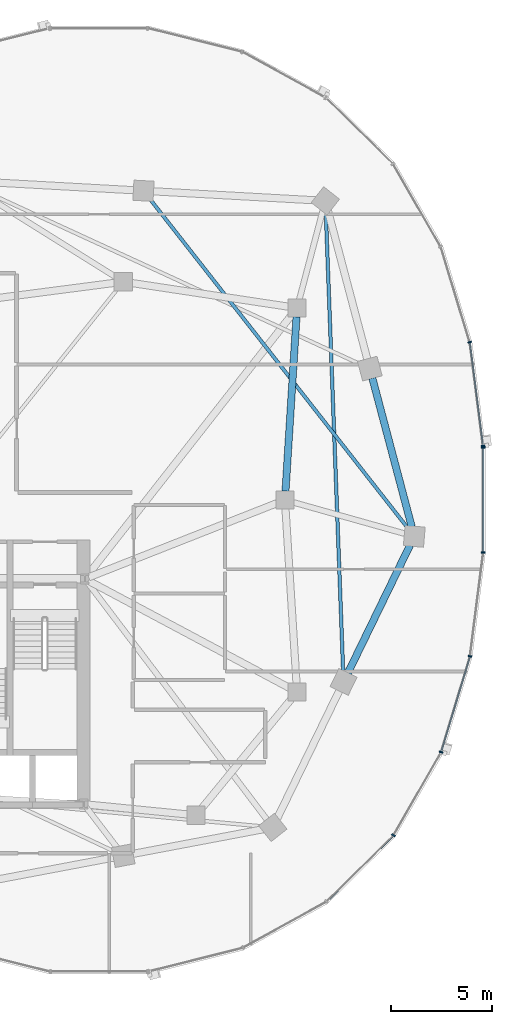
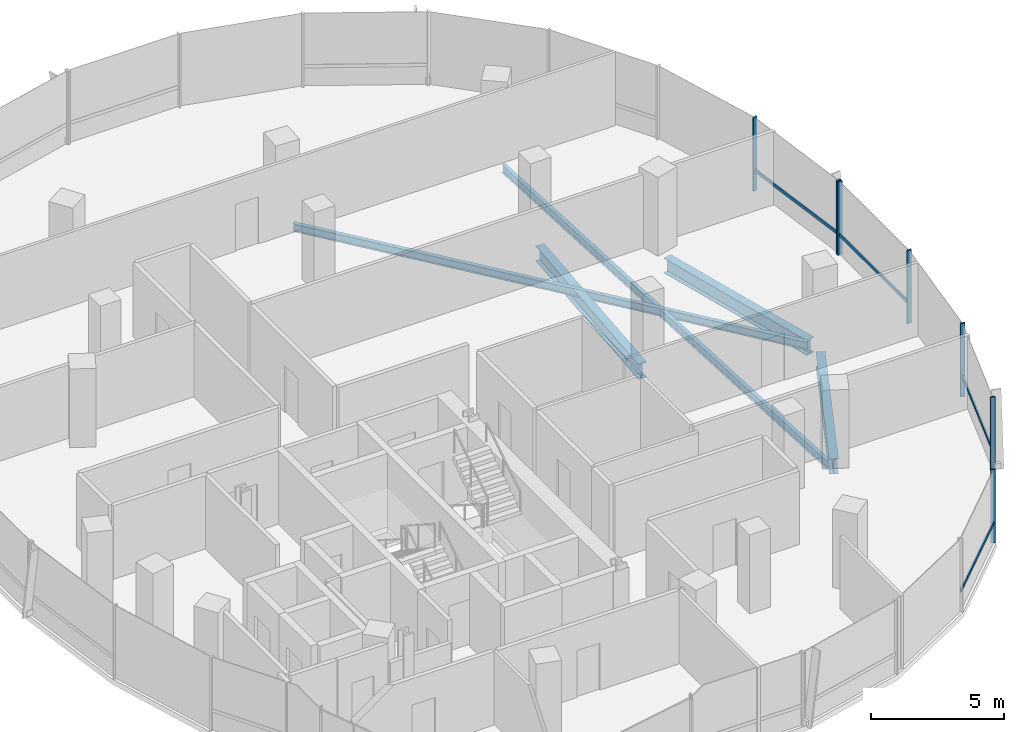
# One storey, part 8 of 23: 11 members, 5 beams, 2 elements without a shape of their own.
"""IFC4 building model written with IfcOpenShell, lengths in metres."""

from ifc_helpers import new_model, si_unit, direction, frame, origin, origin_2d, place, context, subcontext, project, spatial, rectangle, i_section, extrude, material, material_profile, profile_set, type_object, element, aggregate, save


model = new_model("IFC4")

# Units and contexts
model_context = context("Model", 3, precision=1e-05, world=origin(), true_north=direction((0.0, 1.0)))
body_context = subcontext(model_context, "Body", "Model", "MODEL_VIEW")
ifc_project = project(units=[si_unit("LENGTHUNIT", "METRE"), si_unit("AREAUNIT", "SQUARE_METRE"), si_unit("VOLUMEUNIT", "CUBIC_METRE"), si_unit("PLANEANGLEUNIT", "RADIAN"), si_unit("MASSUNIT", "GRAM", prefix="KILO"), si_unit("THERMODYNAMICTEMPERATUREUNIT", "KELVIN"), si_unit("POWERUNIT", "WATT")], contexts=[model_context])

# Site, building, storey
site_placement = place(None, origin())
site = spatial("IfcSite", under=ifc_project, at=site_placement, CompositionType="ELEMENT")
building_placement = place(site_placement, origin())
building = spatial("IfcBuilding", under=site, at=building_placement, Name="Cundina Bronze Exchange", CompositionType="ELEMENT")
storey_placement = place(building_placement, frame((0.0, 0.0, 172.800048828125)))
storey = spatial("IfcBuildingStorey", under=building, at=storey_placement, Name="L45", CompositionType="ELEMENT", Elevation=172.800048828125)

# Beams
ifc_material_1 = material(Name="Steel ASTM A992 Grade 50", Category="steel")
ifc_material_profile_1 = material_profile(ifc_material_1, i_section(OverallWidth=0.172119140625, OverallDepth=0.35791015625, WebThickness=0.0078125, FlangeThickness=0.01318359375, FilletRadius=0.010009765625, at=origin_2d()), Name="W14X38", Category="steel")
ifc_profile_set_1 = profile_set([ifc_material_profile_1], Name="Steel ASTM A992 Grade 50")
beam_type_1 = type_object("IfcBeamType", Name="BM-JST-W14", PredefinedType="JOIST", material=ifc_profile_set_1)
beam_1_placement = place(storey_placement, frame((44.08154296875, -8.51220703125, -0.4189453125), z_axis=(-0.037784933381, 0.999285894431, 0.0), x_axis=(-0.999285894431, -0.037784933381, 0.0)))
element("IfcBeam", 1, at=beam_1_placement, inside=storey, type_object=beam_type_1, Name="L45 Leg E Lobe Floor Joist 07-10", PredefinedType="JOIST", context=body_context, shape_type="SweptSolid", body=[
    extrude(i_section(OverallWidth=0.172119140625, OverallDepth=0.35791015625, WebThickness=0.0078125, FlangeThickness=0.01318359375, FilletRadius=0.010009765625, at=origin_2d()), origin(), (0.0, 0.0, 1.0), 22.8408203125),
])
beam_2_placement = place(storey_placement, frame((47.299072265625, -1.416015625, -0.4189453125), z_axis=(-0.616801484103, 0.787118751656, 0.0), x_axis=(-0.787118751656, -0.616801484103, 0.0)))
element("IfcBeam", 2, at=beam_2_placement, inside=storey, type_object=beam_type_1, Name="L45 Leg E Lobe Floor Joist 08-11", PredefinedType="JOIST", context=body_context, shape_type="SweptSolid", body=[
    extrude(i_section(OverallWidth=0.172119140625, OverallDepth=0.35791015625, WebThickness=0.0078125, FlangeThickness=0.01318359375, FilletRadius=0.010009765625, at=origin_2d()), origin(), (0.0, 0.0, 1.0), 20.7490234375),
])
ifc_material_profile_2 = material_profile(ifc_material_1, i_section(OverallWidth=0.35498046875, OverallDepth=0.695068359375, WebThickness=0.015380859375, FlangeThickness=0.02490234375, FilletRadius=0.01806640625, at=origin_2d()), Name="W27X146", Category="steel")
ifc_profile_set_2 = profile_set([ifc_material_profile_2], Name="Steel ASTM A992 Grade 50")
beam_type_2 = type_object("IfcBeamType", Name="BM-RING-W27", PredefinedType="USERDEFINED", material=ifc_profile_set_2)
beam_3_placement = place(storey_placement, frame((41.2275390625, 0.43701171875, -0.587646484375), z_axis=(0.063046519736, 0.998010589297, 0.0), x_axis=(-0.998010589297, 0.063046519736, 0.0)))
element("IfcBeam", 3, at=beam_3_placement, inside=storey, type_object=beam_type_2, Name="L45 E Inner Structural Ring Girder 04", ObjectType="GIRDER", PredefinedType="USERDEFINED", context=body_context, shape_type="SweptSolid", body=[
    extrude(i_section(OverallWidth=0.35498046875, OverallDepth=0.695068359375, WebThickness=0.015380859375, FlangeThickness=0.02490234375, FilletRadius=0.01806640625, at=origin_2d()), origin(), (0.0, 0.0, 1.0), 8.64306640625),
])
beam_4_placement = place(storey_placement, frame((44.3134765625, -8.56103515625, -0.587646484375), z_axis=(0.437196998825, 0.89936576776, 0.0), x_axis=(-0.89936576776, 0.437196998825, 0.0)))
element("IfcBeam", 4, at=beam_4_placement, inside=storey, type_object=beam_type_2, Name="L45 E Perimeter Ring Girder 07", ObjectType="GIRDER", PredefinedType="USERDEFINED", context=body_context, shape_type="SweptSolid", body=[
    extrude(i_section(OverallWidth=0.35498046875, OverallDepth=0.695068359375, WebThickness=0.015380859375, FlangeThickness=0.02490234375, FilletRadius=0.01806640625, at=origin_2d()), origin(), (0.0, 0.0, 1.0), 7.029541015625),
])
beam_5_placement = place(storey_placement, frame((47.47509765625, -1.328369140625, -0.587646484375), z_axis=(-0.256240814108, 0.966612975904, 0.0), x_axis=(-0.966612975904, -0.256240814108, 0.0)))
element("IfcBeam", 5, at=beam_5_placement, inside=storey, type_object=beam_type_2, Name="L45 E Perimeter Ring Girder 08", ObjectType="GIRDER", PredefinedType="USERDEFINED", context=body_context, shape_type="SweptSolid", body=[
    extrude(i_section(OverallWidth=0.35498046875, OverallDepth=0.695068359375, WebThickness=0.015380859375, FlangeThickness=0.02490234375, FilletRadius=0.01806640625, at=origin_2d()), origin(), (0.0, 0.0, 1.0), 7.61083984375),
])

# Curtain wall, members
ifc_material_2 = material(Name="Anodised Bronze Aluminium 6063-T6", Category="aluminium")
curtain_wall_type = type_object("IfcCurtainWallType", Name="CWS-WST-PIN", PredefinedType="NOTDEFINED", material=ifc_material_2)
curtain_wall_1_placement = place(storey_placement, origin())
curtain_wall_1 = element("IfcCurtainWall", 6, at=curtain_wall_1_placement, inside=storey, type_object=curtain_wall_type, Name="L45 CW-04 Curtain Wall Run CWR-L45-E1", PredefinedType="NOTDEFINED")
ifc_material_profile_3 = material_profile(ifc_material_2, rectangle(XDim=0.070068359375, YDim=0.18994140625, at=origin_2d()), Name="AL70X190", Category="aluminium")
ifc_profile_set_3 = profile_set([ifc_material_profile_3], Name="Anodised Bronze Aluminium 6063-T6")
member_type_1 = type_object("IfcMemberType", Name="CWM-MUL-190", PredefinedType="MULLION", material=ifc_profile_set_3)
member_1_placement = place(storey_placement, frame((51.001708984375, 2.676025390625, 0.0), z_axis=(0.0, 0.0, 1.0), x_axis=(-0.126545236492, 0.991960837494, 0.0)))
member_1 = element("IfcMember", 7, at=member_1_placement, type_object=member_type_1, Name="CW-04 Mullion 1", PredefinedType="MULLION", context=body_context, shape_type="SweptSolid", body=[
    extrude(rectangle(XDim=0.070068359375, YDim=0.18994140625, at=origin_2d()), origin(), (0.0, 0.0, 1.0), 3.35986328125),
])
member_2_placement = place(storey_placement, frame((50.3408203125, 7.80859375, 0.0), z_axis=(0.0, 0.0, 1.0), x_axis=(-0.290034140915, 0.957016299288, 0.0)))
member_2 = element("IfcMember", 8, at=member_2_placement, type_object=member_type_1, Name="CW-04 Mullion 2", PredefinedType="MULLION", context=body_context, shape_type="SweptSolid", body=[
    extrude(rectangle(XDim=0.070068359375, YDim=0.18994140625, at=origin_2d()), origin(), (0.0, 0.0, 1.0), 3.35986328125),
])

curtain_wall_2_placement = place(storey_placement, origin())
curtain_wall_2 = element("IfcCurtainWall", 9, at=curtain_wall_2_placement, inside=storey, type_object=curtain_wall_type, Name="L45 CW-04 Curtain Wall Run CWR-L45-E4", PredefinedType="NOTDEFINED")
member_3_placement = place(storey_placement, frame((46.57080078125, -16.588134765625, 0.0), z_axis=(0.0, 0.0, 1.0), x_axis=(0.498487739754, 0.866896748936, 0.0)))
member_3 = element("IfcMember", 10, at=member_3_placement, type_object=member_type_1, Name="CW-04 Mullion 4", PredefinedType="MULLION", context=body_context, shape_type="SweptSolid", body=[
    extrude(rectangle(XDim=0.070068359375, YDim=0.18994140625, at=origin_2d()), origin(), (0.0, 0.0, 1.0), 3.35986328125),
])
member_4_placement = place(storey_placement, frame((48.92626953125, -12.4755859375, 0.0), z_axis=(0.0, 0.0, 1.0), x_axis=(0.290034140915, 0.957016299288, 0.0)))
member_4 = element("IfcMember", 11, at=member_4_placement, type_object=member_type_1, Name="CW-04 Mullion 5", PredefinedType="MULLION", context=body_context, shape_type="SweptSolid", body=[
    extrude(rectangle(XDim=0.070068359375, YDim=0.18994140625, at=origin_2d()), origin(), (0.0, 0.0, 1.0), 3.35986328125),
])
member_5_placement = place(storey_placement, frame((50.357177734375, -7.731689453125, 0.0), z_axis=(0.0, 0.0, 1.0), x_axis=(0.126545236492, 0.991960837494, 0.0)))
member_5 = element("IfcMember", 12, at=member_5_placement, type_object=member_type_1, Name="CW-04 Mullion 6", PredefinedType="MULLION", context=body_context, shape_type="SweptSolid", body=[
    extrude(rectangle(XDim=0.070068359375, YDim=0.18994140625, at=origin_2d()), origin(), (0.0, 0.0, 1.0), 3.35986328125),
])
member_6_placement = place(storey_placement, frame((51.007080078125, -2.593017578125, 0.0), z_axis=(0.0, 0.0, 1.0), x_axis=(0.0, 1.0, 0.0)))
member_6 = element("IfcMember", 13, at=member_6_placement, type_object=member_type_1, Name="CW-04 Mullion 7", PredefinedType="MULLION", context=body_context, shape_type="SweptSolid", body=[
    extrude(rectangle(XDim=0.070068359375, YDim=0.18994140625, at=origin_2d()), origin(), (0.0, 0.0, 1.0), 3.35986328125),
])
member_7_placement = place(storey_placement, frame((51.007080078125, 2.593017578125, 0.0), z_axis=(0.0, 0.0, 1.0), x_axis=(0.0, 1.0, 0.0)))
member_7 = element("IfcMember", 14, at=member_7_placement, type_object=member_type_1, Name="CW-04 End Mullion", PredefinedType="MULLION", context=body_context, shape_type="SweptSolid", body=[
    extrude(rectangle(XDim=0.070068359375, YDim=0.18994140625, at=origin_2d()), origin(), (0.0, 0.0, 1.0), 3.35986328125),
])

# Member
ifc_material_profile_4 = material_profile(ifc_material_2, rectangle(XDim=0.06494140625, YDim=0.14990234375, at=origin_2d()), Name="AL65X150", Category="aluminium")
ifc_profile_set_4 = profile_set([ifc_material_profile_4], Name="Anodised Bronze Aluminium 6063-T6")
member_type_2 = type_object("IfcMemberType", Name="CWM-TRN-150", PredefinedType="USERDEFINED", material=ifc_profile_set_4)
member_8_placement = place(storey_placement, frame((50.996826171875, 2.71435546875, 0.919921875), z_axis=(-0.12646340362, 0.991971273548, 0.0), x_axis=(-0.991971273548, -0.12646340362, 0.0)))
member_8 = element("IfcMember", 15, at=member_8_placement, type_object=member_type_2, Name="CW-04 Spandrel Transom 1", ObjectType="TRANSOM", PredefinedType="USERDEFINED", context=body_context, shape_type="SweptSolid", body=[
    extrude(rectangle(XDim=0.06494140625, YDim=0.14990234375, at=origin_2d()), origin(), (0.0, 0.0, 1.0), 5.0966796875),
])

aggregate(curtain_wall_1, [member_1, member_8, member_2])

member_9_placement = place(storey_placement, frame((43.28662109375, -19.839599609375, 0.919921875), z_axis=(0.712005023839, 0.702174370102, 0.0), x_axis=(-0.702174370102, 0.712005023839, 0.0)))
member_9 = element("IfcMember", 16, at=member_9_placement, type_object=member_type_2, Name="CW-04 Spandrel Transom 3", ObjectType="TRANSOM", PredefinedType="USERDEFINED", context=body_context, shape_type="SweptSolid", body=[
    extrude(rectangle(XDim=0.06494140625, YDim=0.14990234375, at=origin_2d()), origin(), (0.0, 0.0, 1.0), 4.594482421875),
])

member_10_placement = place(storey_placement, frame((48.937255859375, -12.43896484375, 0.919921875), z_axis=(0.290051855969, 0.957010930371, 0.0), x_axis=(-0.957010930371, 0.290051855969, 0.0)))
member_10 = element("IfcMember", 17, at=member_10_placement, type_object=member_type_2, Name="CW-04 Spandrel Transom 5", ObjectType="TRANSOM", PredefinedType="USERDEFINED", context=body_context, shape_type="SweptSolid", body=[
    extrude(rectangle(XDim=0.06494140625, YDim=0.14990234375, at=origin_2d()), origin(), (0.0, 0.0, 1.0), 4.876953125),
])

member_11_placement = place(storey_placement, frame((51.007080078125, -2.554443359375, 0.919921875), z_axis=(0.0, 1.0, 0.0), x_axis=(-1.0, 0.0, 0.0)))
member_11 = element("IfcMember", 18, at=member_11_placement, type_object=member_type_2, Name="CW-04 Spandrel Transom 7", ObjectType="TRANSOM", PredefinedType="USERDEFINED", context=body_context, shape_type="SweptSolid", body=[
    extrude(rectangle(XDim=0.06494140625, YDim=0.14990234375, at=origin_2d()), origin(), (0.0, 0.0, 1.0), 5.10888671875),
])

aggregate(curtain_wall_2, [member_9, member_3, member_4, member_10, member_5, member_6, member_7, member_11])

save(model, "model.ifc")
